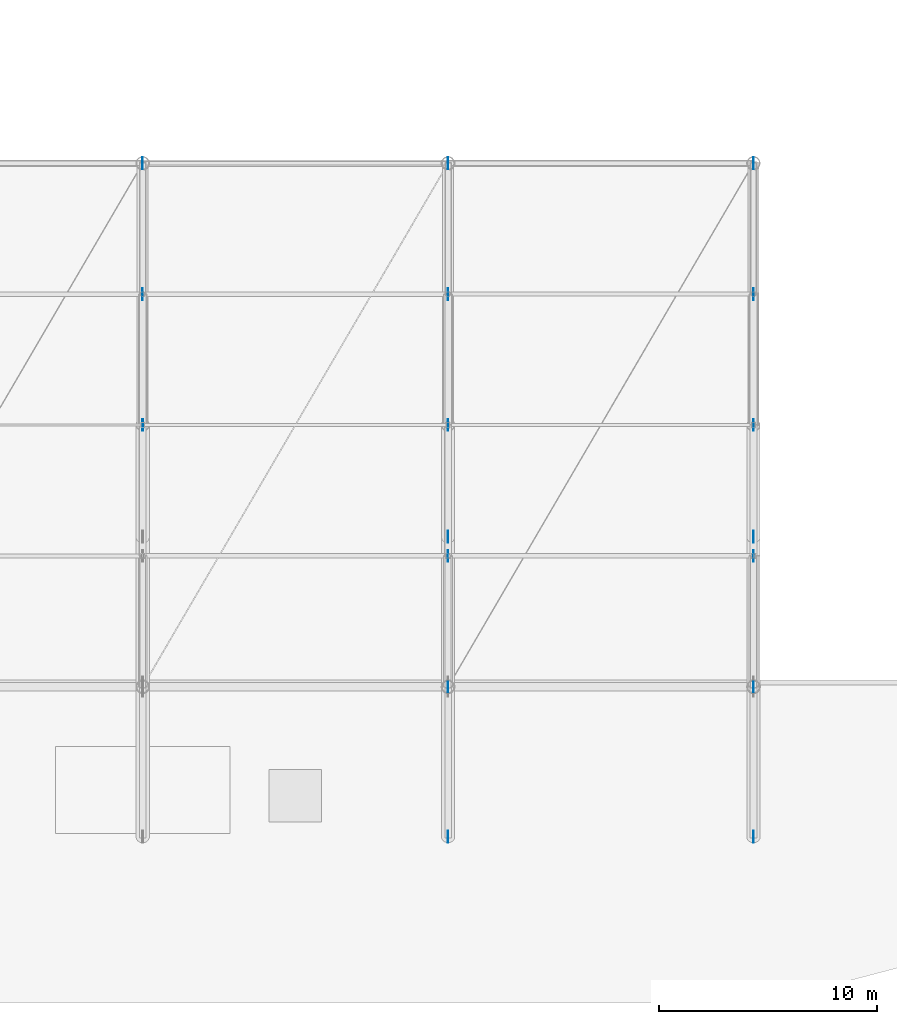
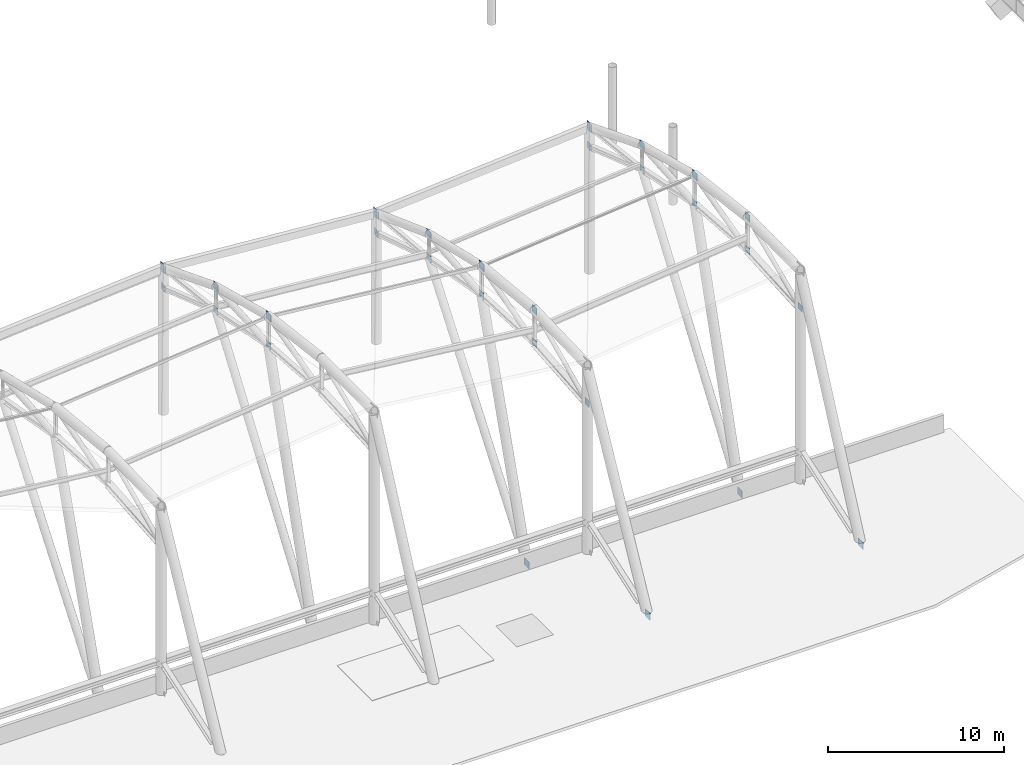
# One storey, part 68 of 90: 28 plates.
"""IFC4 building model written with IfcOpenShell, lengths in metres."""

from ifc_helpers import new_model, si_unit, direction, frame, origin, origin_2d, place, context, subcontext, project, spatial, rectangle, extrude, material, layer, layer_set, type_object, element, save


model = new_model("IFC4")

# Units and contexts
model_context = context("Model", 3, precision=1e-05, world=origin(), true_north=direction((0.0, 1.0)))
body_context = subcontext(model_context, "Body", "Model", "MODEL_VIEW")
ifc_project = project(units=[si_unit("LENGTHUNIT", "METRE"), si_unit("AREAUNIT", "SQUARE_METRE"), si_unit("VOLUMEUNIT", "CUBIC_METRE"), si_unit("PLANEANGLEUNIT", "RADIAN"), si_unit("MASSUNIT", "GRAM", prefix="KILO")], contexts=[model_context])

# Site, building, storey
site_placement = place(None, origin())
site = spatial("IfcSite", under=ifc_project, at=site_placement, CompositionType="ELEMENT")
building_placement = place(site_placement, origin())
building = spatial("IfcBuilding", under=site, at=building_placement, Name="Linyun Crest Stadium", CompositionType="ELEMENT")
storey_placement = place(building_placement, frame((0.0, 0.0, 21.0)))
storey = spatial("IfcBuildingStorey", under=building, at=storey_placement, Name="L05", CompositionType="ELEMENT", Elevation=21.0)

# Plates
ifc_material_1 = material(Name="Steel Q355C", Category="steel")
ifc_layer_1 = layer(ifc_material_1, 0.02001953125)
ifc_layer_set_1 = layer_set([ifc_layer_1], Name="Steel Q355C")
plate_type_1 = type_object("IfcPlateType", Name="EP01", PredefinedType="USERDEFINED", material=ifc_layer_set_1)
for number, where, z_axis, x_axis, name in (
    (1, (0.0, -49.5, 9.77197265625), (0.0, 0.0, 1.0), (0.0, 1.0, 0.0), "Canopy tip tube end plate EP01 305"),
    (2, (14.0, -49.5, 8.66796875), (0.0, 0.0, 1.0), (0.0, 1.0, 0.0), "Canopy tip tube end plate EP01 318"),
    (3, (28.0, -49.5, 9.77197265625), (0.0, 0.0, 1.0), (0.0, 1.0, 0.0), "Canopy tip tube end plate EP01 331"),
):
    element("IfcPlate", number, at=place(storey_placement, frame(where, z_axis=z_axis, x_axis=x_axis)), inside=storey, type_object=plate_type_1, Name=name, ObjectType="END PLATE", PredefinedType="USERDEFINED", context=body_context, shape_type="SweptSolid", body=[
        extrude(rectangle(XDim=0.56005859375, YDim=0.02001953125, at=origin_2d()), origin(), (0.0, 0.0, 1.0), 0.56005859375),
    ])
ifc_material_2 = material(Name="Steel Q355C", Category="steel")
ifc_layer_2 = layer(ifc_material_2, 0.02392578125)
ifc_layer_set_2 = layer_set([ifc_layer_2], Name="Steel Q355C")
plate_type_2 = type_object("IfcPlateType", Name="NP01", PredefinedType="USERDEFINED", material=ifc_layer_set_2)
plate_1_placement = place(storey_placement, frame((0.0, -55.5, 12.162109375), z_axis=(0.0, 0.0, 1.0), x_axis=(0.0, 1.0, 0.0)))
element("IfcPlate", 4, at=plate_1_placement, inside=storey, type_object=plate_type_2, Name="Roof truss node gusset plate NP01 304", ObjectType="GUSSET PLATE", PredefinedType="USERDEFINED", context=body_context, shape_type="SweptSolid", body=[
    extrude(rectangle(XDim=0.5400390625, YDim=0.02392578125, at=origin_2d()), origin(), (0.0, 0.0, 1.0), 0.47998046875),
])
for number, where, z_axis, x_axis, name in (
    (5, (0.0, -61.5, 11.755126953125), (0.0, 0.0, 1.0), (0.0, 1.0, 0.0), "Roof bottom-chord node gusset plate NP01 309"),
    (6, (0.0, -55.5, 10.51806640625), (0.0, 0.0, 1.0), (0.0, 1.0, 0.0), "Roof bottom-chord node gusset plate NP01 310"),
    (7, (0.0, -49.5, 8.47998046875), (0.0, 0.0, 1.0), (0.0, 1.0, 0.0), "Roof bottom-chord node gusset plate NP01 311"),
):
    element("IfcPlate", number, at=place(storey_placement, frame(where, z_axis=z_axis, x_axis=x_axis)), inside=storey, type_object=plate_type_2, Name=name, ObjectType="GUSSET PLATE", PredefinedType="USERDEFINED", context=body_context, shape_type="SweptSolid", body=[
        extrude(rectangle(XDim=0.47998046875, YDim=0.02392578125, at=origin_2d()), origin(), (0.0, 0.0, 1.0), 0.43994140625),
    ])
plate_2_placement = place(storey_placement, frame((14.0, -55.5, 10.908935546875), z_axis=(0.0, 0.0, 1.0), x_axis=(0.0, 1.0, 0.0)))
element("IfcPlate", 8, at=plate_2_placement, inside=storey, type_object=plate_type_2, Name="Roof truss node gusset plate NP01 317", ObjectType="GUSSET PLATE", PredefinedType="USERDEFINED", context=body_context, shape_type="SweptSolid", body=[
    extrude(rectangle(XDim=0.5400390625, YDim=0.02392578125, at=origin_2d()), origin(), (0.0, 0.0, 1.0), 0.47998046875),
])
for number, where, z_axis, x_axis, name in (
    (9, (14.0, -73.5, 10.130126953125), (0.0, 0.0, 1.0), (0.0, 1.0, 0.0), "Roof bottom-chord node gusset plate NP01 320"),
    (10, (14.0, -67.5, 10.64208984375), (0.0, 0.0, 1.0), (0.0, 1.0, 0.0), "Roof bottom-chord node gusset plate NP01 321"),
    (11, (14.0, -61.5, 10.35302734375), (0.0, 0.0, 1.0), (0.0, 1.0, 0.0), "Roof bottom-chord node gusset plate NP01 322"),
    (12, (14.0, -55.5, 9.26513671875), (0.0, 0.0, 1.0), (0.0, 1.0, 0.0), "Roof bottom-chord node gusset plate NP01 323"),
    (13, (14.0, -49.5, 7.3759765625), (0.0, 0.0, 1.0), (0.0, 1.0, 0.0), "Roof bottom-chord node gusset plate NP01 324"),
):
    element("IfcPlate", number, at=place(storey_placement, frame(where, z_axis=z_axis, x_axis=x_axis)), inside=storey, type_object=plate_type_2, Name=name, ObjectType="GUSSET PLATE", PredefinedType="USERDEFINED", context=body_context, shape_type="SweptSolid", body=[
        extrude(rectangle(XDim=0.47998046875, YDim=0.02392578125, at=origin_2d()), origin(), (0.0, 0.0, 1.0), 0.43994140625),
    ])
plate_3_placement = place(storey_placement, frame((28.0, -55.5, 12.162109375), z_axis=(0.0, 0.0, 1.0), x_axis=(0.0, 1.0, 0.0)))
element("IfcPlate", 14, at=plate_3_placement, inside=storey, type_object=plate_type_2, Name="Roof truss node gusset plate NP01 330", ObjectType="GUSSET PLATE", PredefinedType="USERDEFINED", context=body_context, shape_type="SweptSolid", body=[
    extrude(rectangle(XDim=0.5400390625, YDim=0.02392578125, at=origin_2d()), origin(), (0.0, 0.0, 1.0), 0.47998046875),
])
for number, where, z_axis, x_axis, name in (
    (15, (28.0, -73.5, 11.830078125), (0.0, 0.0, 1.0), (0.0, 1.0, 0.0), "Roof bottom-chord node gusset plate NP01 333"),
    (16, (28.0, -67.5, 12.193115234375), (0.0, 0.0, 1.0), (0.0, 1.0, 0.0), "Roof bottom-chord node gusset plate NP01 334"),
    (17, (28.0, -61.5, 11.755126953125), (0.0, 0.0, 1.0), (0.0, 1.0, 0.0), "Roof bottom-chord node gusset plate NP01 335"),
    (18, (28.0, -55.5, 10.51806640625), (0.0, 0.0, 1.0), (0.0, 1.0, 0.0), "Roof bottom-chord node gusset plate NP01 336"),
    (19, (28.0, -49.5, 8.47998046875), (0.0, 0.0, 1.0), (0.0, 1.0, 0.0), "Roof bottom-chord node gusset plate NP01 337"),
):
    element("IfcPlate", number, at=place(storey_placement, frame(where, z_axis=z_axis, x_axis=x_axis)), inside=storey, type_object=plate_type_2, Name=name, ObjectType="GUSSET PLATE", PredefinedType="USERDEFINED", context=body_context, shape_type="SweptSolid", body=[
        extrude(rectangle(XDim=0.47998046875, YDim=0.02392578125, at=origin_2d()), origin(), (0.0, 0.0, 1.0), 0.43994140625),
    ])
ifc_material_3 = material(Name="Steel Q420C", Category="steel")
ifc_layer_3 = layer(ifc_material_3, 0.028076171875)
ifc_layer_set_3 = layer_set([ifc_layer_3], Name="Steel Q420C")
plate_type_3 = type_object("IfcPlateType", Name="NP02", PredefinedType="USERDEFINED", material=ifc_layer_set_3)
for number, where, z_axis, x_axis, name in (
    (20, (14.0, -67.5, 12.909912109375), (0.0, 0.0, 1.0), (0.0, 1.0, 0.0), "Roof truss node gusset plate NP02 315"),
    (21, (14.0, -66.625, -5.219970703125), (0.0, 0.0, 1.0), (0.0, 1.0, 0.0), "Roof V-strut base gusset plate NP02 325"),
    (22, (28.0, -67.5, 14.4609375), (0.0, 0.0, 1.0), (0.0, 1.0, 0.0), "Roof truss node gusset plate NP02 328"),
    (23, (28.0, -66.625, -5.219970703125), (0.0, 0.0, 1.0), (0.0, 1.0, 0.0), "Roof V-strut base gusset plate NP02 338"),
):
    element("IfcPlate", number, at=place(storey_placement, frame(where, z_axis=z_axis, x_axis=x_axis)), inside=storey, type_object=plate_type_3, Name=name, ObjectType="GUSSET PLATE", PredefinedType="USERDEFINED", context=body_context, shape_type="SweptSolid", body=[
        extrude(rectangle(XDim=0.5400390625, YDim=0.028076171875, at=origin_2d()), origin(), (0.0, 0.0, 1.0), 0.47998046875),
    ])
ifc_material_4 = material(Name="Steel Q420C", Category="steel")
ifc_layer_4 = layer(ifc_material_4, 0.031982421875)
ifc_layer_set_4 = layer_set([ifc_layer_4], Name="Steel Q420C")
plate_type_4 = type_object("IfcPlateType", Name="NP03", PredefinedType="USERDEFINED", material=ifc_layer_set_4)
for number, where, z_axis, x_axis, name in (
    (24, (14.0, -80.375, -0.445068359375), (0.0, 0.0, 1.0), (0.0, 1.0, 0.0), "Roof back-stay anchor gusset plate NP03 319"),
    (25, (28.0, -80.375, -0.445068359375), (0.0, 0.0, 1.0), (0.0, 1.0, 0.0), "Roof back-stay anchor gusset plate NP03 332"),
):
    element("IfcPlate", number, at=place(storey_placement, frame(where, z_axis=z_axis, x_axis=x_axis)), inside=storey, type_object=plate_type_4, Name=name, ObjectType="GUSSET PLATE", PredefinedType="USERDEFINED", context=body_context, shape_type="SweptSolid", body=[
        extrude(rectangle(XDim=0.56005859375, YDim=0.031982421875, at=origin_2d()), origin(), (0.0, 0.0, 1.0), 0.47998046875),
    ])
ifc_material_5 = material(Name="Steel Q420C", Category="steel")
ifc_layer_5 = layer(ifc_material_5, 0.035888671875)
ifc_layer_set_5 = layer_set([ifc_layer_5], Name="Steel Q420C")
plate_type_5 = type_object("IfcPlateType", Name="NP04", PredefinedType="USERDEFINED", material=ifc_layer_set_5)
for number, where, z_axis, x_axis, name in (
    (26, (0.0, -61.5, 13.7109375), (0.0, 0.0, 1.0), (0.0, 1.0, 0.0), "Roof truss node gusset plate NP04 303"),
    (27, (14.0, -61.5, 12.30908203125), (0.0, 0.0, 1.0), (0.0, 1.0, 0.0), "Roof truss node gusset plate NP04 316"),
    (28, (28.0, -61.5, 13.7109375), (0.0, 0.0, 1.0), (0.0, 1.0, 0.0), "Roof truss node gusset plate NP04 329"),
):
    element("IfcPlate", number, at=place(storey_placement, frame(where, z_axis=z_axis, x_axis=x_axis)), inside=storey, type_object=plate_type_5, Name=name, ObjectType="GUSSET PLATE", PredefinedType="USERDEFINED", context=body_context, shape_type="SweptSolid", body=[
        extrude(rectangle(XDim=0.5400390625, YDim=0.035888671875, at=origin_2d()), origin(), (0.0, 0.0, 1.0), 0.47998046875),
    ])

save(model, "model.ifc")
